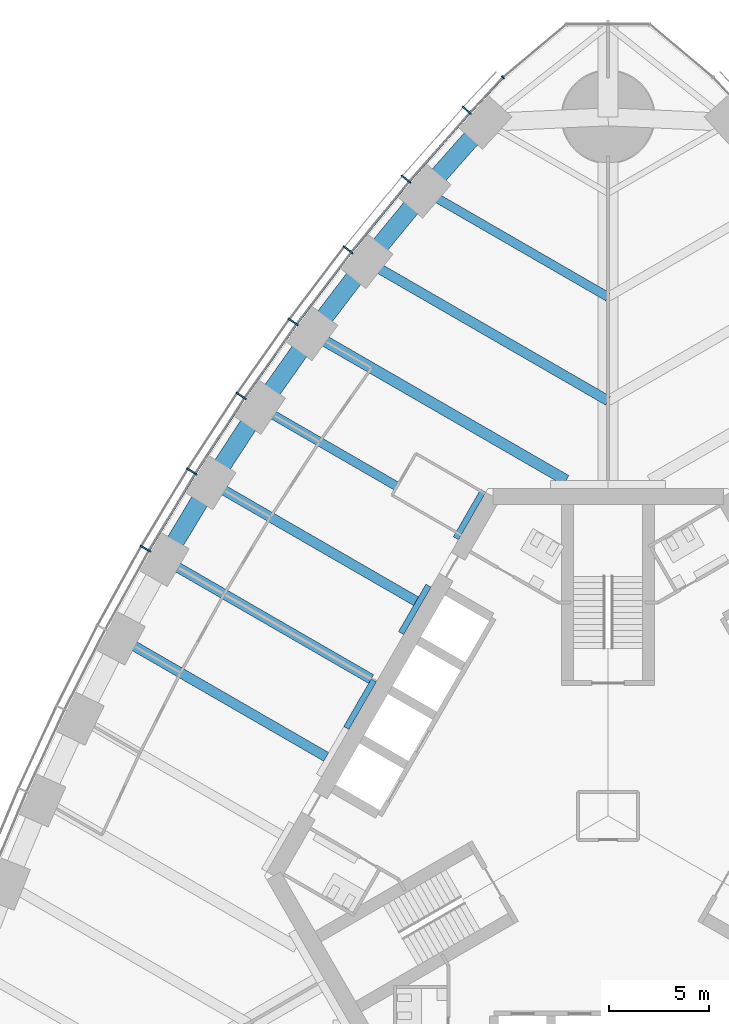
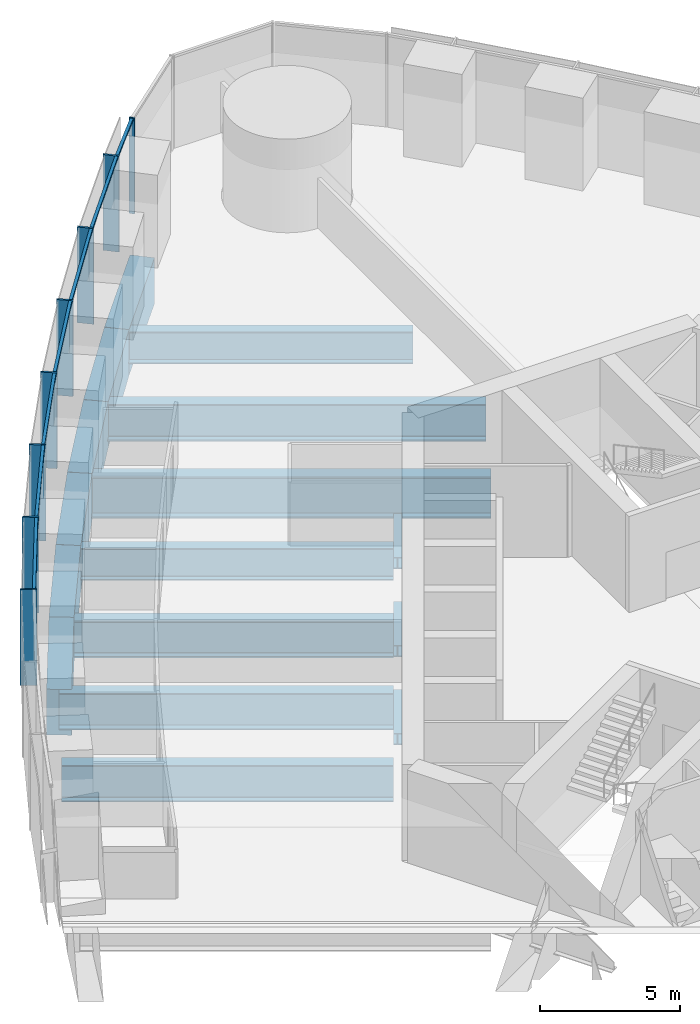
# One storey, part 4 of 19: 16 beams, 15 members, 2 elements without a shape of their own.
"""IFC4 building model written with IfcOpenShell, lengths in metres."""

from ifc_helpers import new_model, si_unit, direction, frame, origin, origin_2d, place, context, subcontext, project, spatial, rectangle, i_section, extrude, material, material_profile, profile_set, type_object, element, aggregate, save


model = new_model("IFC4")

# Units and contexts
model_context = context("Model", 3, precision=1e-05, world=origin(), true_north=direction((0.0, 1.0)))
body_context = subcontext(model_context, "Body", "Model", "MODEL_VIEW")
ifc_project = project(units=[si_unit("LENGTHUNIT", "METRE"), si_unit("AREAUNIT", "SQUARE_METRE"), si_unit("VOLUMEUNIT", "CUBIC_METRE"), si_unit("PLANEANGLEUNIT", "RADIAN"), si_unit("MASSUNIT", "GRAM", prefix="KILO")], contexts=[model_context])

# Site, building, storey
site_placement = place(None, origin())
site = spatial("IfcSite", under=ifc_project, at=site_placement, CompositionType="ELEMENT")
building_placement = place(site_placement, origin())
building = spatial("IfcBuilding", under=site, at=building_placement, Name="Trefoil Bronze Tower", CompositionType="ELEMENT")
storey_placement = place(building_placement, frame((0.0, 0.0, 107.300048828125)))
storey = spatial("IfcBuildingStorey", under=building, at=storey_placement, Name="L24", CompositionType="ELEMENT", Elevation=107.300048828125)

# Curtain wall, members
ifc_material_1 = material(Name="Tinted solar-control glass", Category="glass")
curtain_wall_type_1 = type_object("IfcCurtainWallType", Name="Bronze office curtain wall", PredefinedType="USERDEFINED", material=ifc_material_1)
curtain_wall_1_placement = place(storey_placement, origin())
curtain_wall_1 = element("IfcCurtainWall", 1, at=curtain_wall_1_placement, inside=storey, type_object=curtain_wall_type_1, Name="CW-A L24 F3", ObjectType="CURTAIN WALL", PredefinedType="USERDEFINED")
ifc_material_2 = material(Name="Bronze-finish aluminium", Category="aluminium")
ifc_material_profile_1 = material_profile(ifc_material_2, rectangle(XDim=0.60009765625, YDim=0.080078125, at=origin_2d()), Name="CW-A mullion")
ifc_profile_set_1 = profile_set([ifc_material_profile_1], Name="Bronze-finish aluminium")
member_type_1 = type_object("IfcMemberType", Name="Bronze office curtain wall mullion", PredefinedType="MULLION", material=ifc_profile_set_1)
member_1_placement = place(storey_placement, frame((-7.070068359375, 35.332275390625, 0.0), z_axis=(0.0, 0.0, 1.0), x_axis=(0.740360700327, -0.672209813534, 0.0)))
member_1 = element("IfcMember", 2, at=member_1_placement, type_object=member_type_1, Name="CW-A L24 F3 mullion 2", PredefinedType="MULLION", context=body_context, shape_type="SweptSolid", body=[
    extrude(rectangle(XDim=0.60009765625, YDim=0.080078125, at=origin_2d()), origin(), (0.0, 0.0, 1.0), 4.179931640625),
])
member_2_placement = place(storey_placement, frame((-10.11474609375, 31.8828125, 0.0), z_axis=(0.0, 0.0, 1.0), x_axis=(0.761721651066, -0.647904411389, 0.0)))
member_2 = element("IfcMember", 3, at=member_2_placement, type_object=member_type_1, Name="CW-A L24 F3 mullion 3", PredefinedType="MULLION", context=body_context, shape_type="SweptSolid", body=[
    extrude(rectangle(XDim=0.60009765625, YDim=0.080078125, at=origin_2d()), origin(), (0.0, 0.0, 1.0), 4.179931640625),
])
member_3_placement = place(storey_placement, frame((-13.01220703125, 28.34716796875, 0.0), z_axis=(0.0, 0.0, 1.0), x_axis=(0.78487913905, -0.619648882098, 0.0)))
member_3 = element("IfcMember", 4, at=member_3_placement, type_object=member_type_1, Name="CW-A L24 F3 mullion 4", PredefinedType="MULLION", context=body_context, shape_type="SweptSolid", body=[
    extrude(rectangle(XDim=0.60009765625, YDim=0.080078125, at=origin_2d()), origin(), (0.0, 0.0, 1.0), 4.179931640625),
])
member_4_placement = place(storey_placement, frame((-15.764404296875, 24.7275390625, 0.0), z_axis=(0.0, 0.0, 1.0), x_axis=(0.806874522901, -0.590722865897, 0.0)))
member_4 = element("IfcMember", 5, at=member_4_placement, type_object=member_type_1, Name="CW-A L24 F3 mullion 5", PredefinedType="MULLION", context=body_context, shape_type="SweptSolid", body=[
    extrude(rectangle(XDim=0.60009765625, YDim=0.080078125, at=origin_2d()), origin(), (0.0, 0.0, 1.0), 4.179931640625),
])
member_5_placement = place(storey_placement, frame((-18.373046875, 21.025146484375, 0.0), z_axis=(0.0, 0.0, 1.0), x_axis=(0.827723925749, -0.561135547566, 0.0)))
member_5 = element("IfcMember", 6, at=member_5_placement, type_object=member_type_1, Name="CW-A L24 F3 mullion 6", PredefinedType="MULLION", context=body_context, shape_type="SweptSolid", body=[
    extrude(rectangle(XDim=0.60009765625, YDim=0.080078125, at=origin_2d()), origin(), (0.0, 0.0, 1.0), 4.179931640625),
])
member_6_placement = place(storey_placement, frame((-20.840087890625, 17.24072265625, 0.0), z_axis=(0.0, 0.0, 1.0), x_axis=(0.84743864936, -0.530893337283, 0.0)))
member_6 = element("IfcMember", 7, at=member_6_placement, type_object=member_type_1, Name="CW-A L24 F3 mullion 7", PredefinedType="MULLION", context=body_context, shape_type="SweptSolid", body=[
    extrude(rectangle(XDim=0.60009765625, YDim=0.080078125, at=origin_2d()), origin(), (0.0, 0.0, 1.0), 4.179931640625),
])
member_7_placement = place(storey_placement, frame((-23.166015625, 13.374755859375, 0.0), z_axis=(0.0, 0.0, 1.0), x_axis=(0.866025403784, -0.5, 0.0)))
member_7 = element("IfcMember", 8, at=member_7_placement, type_object=member_type_1, Name="CW-A L24 F3 mullion 8", PredefinedType="MULLION", context=body_context, shape_type="SweptSolid", body=[
    extrude(rectangle(XDim=0.60009765625, YDim=0.080078125, at=origin_2d()), origin(), (0.0, 0.0, 1.0), 4.179931640625),
])
ifc_material_3 = material(Name="Bronze-finish aluminium", Category="aluminium")
ifc_material_profile_2 = material_profile(ifc_material_3, rectangle(XDim=0.1201171875, YDim=0.10009765625, at=origin_2d()), Name="CW-A transom")
ifc_profile_set_2 = profile_set([ifc_material_profile_2], Name="Bronze-finish aluminium")
member_type_2 = type_object("IfcMemberType", Name="Bronze office curtain wall transom", PredefinedType="USERDEFINED", material=ifc_profile_set_2)
member_8_placement = place(storey_placement, frame((-5.296630859375, 36.9384765625, 4.1298828125), z_axis=(-0.682489214428, -0.730895664366, 0.0), x_axis=(0.730895664366, -0.682489214428, 0.0)))
member_8 = element("IfcMember", 9, at=member_8_placement, type_object=member_type_2, Name="CW-A L24 F3 transom 1", ObjectType="TRANSOM", PredefinedType="USERDEFINED", context=body_context, shape_type="SweptSolid", body=[
    extrude(rectangle(XDim=0.1201171875, YDim=0.10009765625, at=origin_2d()), origin(), (0.0, 0.0, 1.0), 2.340087890625),
])
member_9_placement = place(storey_placement, frame((-6.949462890625, 35.166748046875, 4.1298828125), z_axis=(-0.66173618877, -0.749736764786, 0.0), x_axis=(0.749736764786, -0.66173618877, 0.0)))
member_9 = element("IfcMember", 10, at=member_9_placement, type_object=member_type_2, Name="CW-A L24 F3 transom 2", ObjectType="TRANSOM", PredefinedType="USERDEFINED", context=body_context, shape_type="SweptSolid", body=[
    extrude(rectangle(XDim=0.1201171875, YDim=0.10009765625, at=origin_2d()), origin(), (0.0, 0.0, 1.0), 4.510986328125),
])
member_10_placement = place(storey_placement, frame((-9.98876953125, 31.720947265625, 4.1298828125), z_axis=(-0.633848872297, -0.773456919995, 0.0), x_axis=(0.773456919995, -0.633848872297, 0.0)))
member_10 = element("IfcMember", 11, at=member_10_placement, type_object=member_type_2, Name="CW-A L24 F3 transom 3", ObjectType="TRANSOM", PredefinedType="USERDEFINED", context=body_context, shape_type="SweptSolid", body=[
    extrude(rectangle(XDim=0.1201171875, YDim=0.10009765625, at=origin_2d()), origin(), (0.0, 0.0, 1.0), 4.480224609375),
])
member_11_placement = place(storey_placement, frame((-12.880615234375, 28.18994140625, 4.1298828125), z_axis=(-0.605229114572, -0.796051329296, 0.0), x_axis=(0.796051329296, -0.605229114572, 0.0)))
member_11 = element("IfcMember", 12, at=member_11_placement, type_object=member_type_2, Name="CW-A L24 F3 transom 4", ObjectType="TRANSOM", PredefinedType="USERDEFINED", context=body_context, shape_type="SweptSolid", body=[
    extrude(rectangle(XDim=0.1201171875, YDim=0.10009765625, at=origin_2d()), origin(), (0.0, 0.0, 1.0), 4.456298828125),
])
member_12_placement = place(storey_placement, frame((-15.626953125, 24.5751953125, 4.1298828125), z_axis=(-0.576017858824, -0.817437108478, 0.0), x_axis=(0.817437108478, -0.576017858824, 0.0)))
member_12 = element("IfcMember", 13, at=member_12_placement, type_object=member_type_2, Name="CW-A L24 F3 transom 5", ObjectType="TRANSOM", PredefinedType="USERDEFINED", context=body_context, shape_type="SweptSolid", body=[
    extrude(rectangle(XDim=0.1201171875, YDim=0.10009765625, at=origin_2d()), origin(), (0.0, 0.0, 1.0), 4.4384765625),
])
member_13_placement = place(storey_placement, frame((-18.23046875, 20.877685546875, 4.1298828125), z_axis=(-0.546079336226, -0.837733465099, 0.0), x_axis=(0.837733465099, -0.546079336226, 0.0)))
member_13 = element("IfcMember", 14, at=member_13_placement, type_object=member_type_2, Name="CW-A L24 F3 transom 6", ObjectType="TRANSOM", PredefinedType="USERDEFINED", context=body_context, shape_type="SweptSolid", body=[
    extrude(rectangle(XDim=0.1201171875, YDim=0.10009765625, at=origin_2d()), origin(), (0.0, 0.0, 1.0), 4.426513671875),
])
member_14_placement = place(storey_placement, frame((-20.692138671875, 17.0986328125, 4.1298828125), z_axis=(-0.515526794174, -0.856873458854, 0.0), x_axis=(0.856873458854, -0.515526794174, 0.0)))
member_14 = element("IfcMember", 15, at=member_14_placement, type_object=member_type_2, Name="CW-A L24 F3 transom 7", ObjectType="TRANSOM", PredefinedType="USERDEFINED", context=body_context, shape_type="SweptSolid", body=[
    extrude(rectangle(XDim=0.1201171875, YDim=0.10009765625, at=origin_2d()), origin(), (0.0, 0.0, 1.0), 4.4208984375),
])
aggregate(curtain_wall_1, [member_1, member_2, member_3, member_4, member_5, member_6, member_7, member_8, member_9, member_10, member_11, member_12, member_13, member_14])

# Curtain wall, member
ifc_material_4 = material(Name="Tinted solar-control glass", Category="glass")
curtain_wall_type_2 = type_object("IfcCurtainWallType", Name="Bronze rounded corner curtain wall", PredefinedType="USERDEFINED", material=ifc_material_4)
curtain_wall_2_placement = place(storey_placement, origin())
curtain_wall_2 = element("IfcCurtainWall", 16, at=curtain_wall_2_placement, inside=storey, type_object=curtain_wall_type_2, Name="CW-B L24 K2", ObjectType="CURTAIN WALL", PredefinedType="USERDEFINED")
ifc_material_5 = material(Name="Bronze-finish aluminium", Category="aluminium")
ifc_material_profile_3 = material_profile(ifc_material_5, rectangle(XDim=0.199951171875, YDim=0.06005859375, at=origin_2d()), Name="CW-B mullion")
ifc_profile_set_3 = profile_set([ifc_material_profile_3], Name="Bronze-finish aluminium")
member_type_3 = type_object("IfcMemberType", Name="Bronze rounded corner curtain wall mullion", PredefinedType="MULLION", material=ifc_profile_set_3)
member_15_placement = place(storey_placement, frame((-5.260498046875, 36.975830078125, 0.0), z_axis=(0.0, 0.0, 1.0), x_axis=(0.642787609687, -0.766044443119, 0.0)))
member_15 = element("IfcMember", 17, at=member_15_placement, type_object=member_type_3, Name="CW-B L24 K2 mullion 4", PredefinedType="MULLION", context=body_context, shape_type="SweptSolid", body=[
    extrude(rectangle(XDim=0.199951171875, YDim=0.06005859375, at=origin_2d()), origin(), (0.0, 0.0, 1.0), 4.179931640625),
])
aggregate(curtain_wall_2, [member_15])

# Beams
ifc_material_6 = material(Name="Steel C355", Category="steel")
ifc_material_profile_4 = material_profile(ifc_material_6, i_section(OverallWidth=0.300048828125, OverallDepth=0.5, WebThickness=0.014404296875, FlangeThickness=0.028076171875, FilletRadius=0.027099609375, at=origin_2d()), Name="HEB 500")
ifc_profile_set_4 = profile_set([ifc_material_profile_4], Name="Steel C355")
beam_type_1 = type_object("IfcBeamType", Name="Core seat beam HEB 500", PredefinedType="BEAM", material=ifc_profile_set_4)
for number, where, z_axis, x_axis, name in (
    (18, (-6.249755859375, 16.27490234375, -0.449951171875), (-0.500035825175, -0.866004719122, 0.0), (0.866004719122, -0.500035825175, 0.0), "Core seat beam F3/-2 L24"),
    (19, (-8.9921875, 11.52490234375, -0.449951171875), (-0.500035825175, -0.866004719122, 0.0), (0.866004719122, -0.500035825175, 0.0), "Core seat beam F3/-1 L24"),
    (20, (-11.734619140625, 6.77490234375, -0.449951171875), (-0.500035825175, -0.866004719122, 0.0), (0.866004719122, -0.500035825175, 0.0), "Core seat beam F3/+0 L24"),
):
    element("IfcBeam", number, at=place(storey_placement, frame(where, z_axis=z_axis, x_axis=x_axis)), inside=storey, type_object=beam_type_1, Name=name, PredefinedType="BEAM", context=body_context, shape_type="SweptSolid", body=[
        extrude(i_section(OverallWidth=0.300048828125, OverallDepth=0.5, WebThickness=0.014404296875, FlangeThickness=0.028076171875, FilletRadius=0.027099609375, at=origin_2d()), origin(), (0.0, 0.0, 1.0), 2.742431640625),
    ])
ifc_material_7 = material(Name="Steel C355", Category="steel")
ifc_material_profile_5 = material_profile(ifc_material_7, i_section(OverallWidth=0.449951171875, OverallDepth=1.39990234375, WebThickness=0.02294921875, FlangeThickness=0.044921875, FilletRadius=0.011962890625, at=origin_2d()), Name="WPG 1400")
ifc_profile_set_5 = profile_set([ifc_material_profile_5], Name="Steel C355")
beam_type_2 = type_object("IfcBeamType", Name="Floor beam WPG 1400", PredefinedType="BEAM", material=ifc_profile_set_5)
beam_1_placement = place(storey_placement, frame((-9.181884765625, 31.281982421875, -0.900146484375), z_axis=(0.866021079084, -0.500007490527, 0.0), x_axis=(0.500007490527, 0.866021079084, 0.0)))
element("IfcBeam", 21, at=beam_1_placement, inside=storey, type_object=beam_type_2, Name="Floor beam F3/-5 L24", PredefinedType="BEAM", context=body_context, shape_type="SweptSolid", body=[
    extrude(i_section(OverallWidth=0.449951171875, OverallDepth=1.39990234375, WebThickness=0.02294921875, FlangeThickness=0.044921875, FilletRadius=0.011962890625, at=origin_2d()), origin(), (0.0, 0.0, 1.0), 10.602294921875),
])
beam_2_placement = place(storey_placement, frame((-17.43017578125, 20.45556640625, -0.900146484375), z_axis=(0.866030626868, -0.499990953245, 0.0), x_axis=(0.499990953245, 0.866030626868, 0.0)))
element("IfcBeam", 22, at=beam_2_placement, inside=storey, type_object=beam_type_2, Name="Floor beam F3/-2 L24", PredefinedType="BEAM", context=body_context, shape_type="SweptSolid", body=[
    extrude(i_section(OverallWidth=0.449951171875, OverallDepth=1.39990234375, WebThickness=0.02294921875, FlangeThickness=0.044921875, FilletRadius=0.011962890625, at=origin_2d()), origin(), (0.0, 0.0, 1.0), 11.622802734375),
])
ifc_material_8 = material(Name="Steel C355", Category="steel")
ifc_material_profile_6 = material_profile(ifc_material_8, i_section(OverallWidth=0.5, OverallDepth=1.60009765625, WebThickness=0.02587890625, FlangeThickness=0.050048828125, FilletRadius=0.011962890625, at=origin_2d()), Name="WPG 1600")
ifc_profile_set_6 = profile_set([ifc_material_profile_6], Name="Steel C355")
beam_type_3 = type_object("IfcBeamType", Name="Floor beam WPG 1600", PredefinedType="BEAM", material=ifc_profile_set_6)
beam_3_placement = place(storey_placement, frame((-12.07666015625, 27.757080078125, -1.0), z_axis=(0.866026983775, -0.499997263366, 0.0), x_axis=(0.499997263366, 0.866026983775, 0.0)))
element("IfcBeam", 23, at=beam_3_placement, inside=storey, type_object=beam_type_3, Name="Floor beam F3/-4 L24", PredefinedType="BEAM", context=body_context, shape_type="SweptSolid", body=[
    extrude(i_section(OverallWidth=0.5, OverallDepth=1.60009765625, WebThickness=0.02587890625, FlangeThickness=0.050048828125, FilletRadius=0.011962890625, at=origin_2d()), origin(), (0.0, 0.0, 1.0), 13.94482421875),
])
beam_4_placement = place(storey_placement, frame((-19.892578125, 16.68115234375, -1.0), z_axis=(0.866024236736, -0.500002021381, 0.0), x_axis=(0.500002021381, 0.866024236736, 0.0)))
element("IfcBeam", 24, at=beam_4_placement, inside=storey, type_object=beam_type_3, Name="Floor beam F3/-1 L24", PredefinedType="BEAM", context=body_context, shape_type="SweptSolid", body=[
    extrude(i_section(OverallWidth=0.5, OverallDepth=1.60009765625, WebThickness=0.02587890625, FlangeThickness=0.050048828125, FilletRadius=0.011962890625, at=origin_2d()), origin(), (0.0, 0.0, 1.0), 11.8681640625),
])
beam_5_placement = place(storey_placement, frame((-22.21337890625, 12.824951171875, -1.0), z_axis=(0.866028062731, -0.499995394541, 0.0), x_axis=(0.499995394541, 0.866028062731, 0.0)))
element("IfcBeam", 25, at=beam_5_placement, inside=storey, type_object=beam_type_3, Name="Floor beam F3/+0 L24", PredefinedType="BEAM", context=body_context, shape_type="SweptSolid", body=[
    extrude(i_section(OverallWidth=0.5, OverallDepth=1.60009765625, WebThickness=0.02587890625, FlangeThickness=0.050048828125, FilletRadius=0.011962890625, at=origin_2d()), origin(), (0.0, 0.0, 1.0), 11.94970703125),
])
beam_6_placement = place(storey_placement, frame((-24.392578125, 8.886962890625, -1.0), z_axis=(0.866024236736, -0.500002021381, 0.0), x_axis=(0.500002021381, 0.866024236736, 0.0)))
element("IfcBeam", 26, at=beam_6_placement, inside=storey, type_object=beam_type_3, Name="Floor beam F3/+1 L24", PredefinedType="BEAM", context=body_context, shape_type="SweptSolid", body=[
    extrude(i_section(OverallWidth=0.5, OverallDepth=1.60009765625, WebThickness=0.02587890625, FlangeThickness=0.050048828125, FilletRadius=0.011962890625, at=origin_2d()), origin(), (0.0, 0.0, 1.0), 11.8681640625),
])
ifc_material_9 = material(Name="Steel C355", Category="steel")
ifc_material_profile_7 = material_profile(ifc_material_9, i_section(OverallWidth=0.550048828125, OverallDepth=1.800048828125, WebThickness=0.029052734375, FlangeThickness=0.054931640625, FilletRadius=0.013916015625, at=origin_2d()), Name="WPG 1800")
ifc_profile_set_7 = profile_set([ifc_material_profile_7], Name="Steel C355")
beam_type_4 = type_object("IfcBeamType", Name="Floor beam WPG 1800", PredefinedType="BEAM", material=ifc_profile_set_7)
beam_7_placement = place(storey_placement, frame((-14.825439453125, 24.14794921875, -1.10009765625), z_axis=(0.866027342682, -0.499996641717, 0.0), x_axis=(0.499996641717, 0.866027342682, 0.0)))
element("IfcBeam", 27, at=beam_7_placement, inside=storey, type_object=beam_type_4, Name="Floor beam F3/-3 L24", PredefinedType="BEAM", context=body_context, shape_type="SweptSolid", body=[
    extrude(i_section(OverallWidth=0.550048828125, OverallDepth=1.800048828125, WebThickness=0.029052734375, FlangeThickness=0.054931640625, FilletRadius=0.013916015625, at=origin_2d()), origin(), (0.0, 0.0, 1.0), 14.69580078125),
])
ifc_material_10 = material(Name="Concrete B80", Category="concrete")
ifc_material_profile_8 = material_profile(ifc_material_10, rectangle(XDim=0.89990234375, YDim=2.0, at=origin_2d()), Name="RC 900x2000")
ifc_profile_set_8 = profile_set([ifc_material_profile_8], Name="Concrete B80")
beam_type_5 = type_object("IfcBeamType", Name="Spandrel beam RC 900x2000", PredefinedType="SPANDREL", material=ifc_profile_set_8)
beam_8_placement = place(storey_placement, frame((-6.13916015625, 34.72119140625, -1.199951171875), z_axis=(-0.662616326239, -0.748959013699, 0.0), x_axis=(0.748959013699, -0.662616326239, 0.0)))
element("IfcBeam", 28, at=beam_8_placement, inside=storey, type_object=beam_type_5, Name="Spandrel F3.2 L24", PredefinedType="SPANDREL", context=body_context, shape_type="SweptSolid", body=[
    extrude(rectangle(XDim=0.89990234375, YDim=2.0, at=origin_2d()), origin(), (0.0, 0.0, 1.0), 4.592041015625),
])
beam_9_placement = place(storey_placement, frame((-9.181884765625, 31.281982421875, -1.199951171875), z_axis=(-0.634650386838, -0.772799383079, 0.0), x_axis=(0.772799383079, -0.634650386838, 0.0)))
element("IfcBeam", 29, at=beam_9_placement, inside=storey, type_object=beam_type_5, Name="Spandrel F3.3 L24", PredefinedType="SPANDREL", context=body_context, shape_type="SweptSolid", body=[
    extrude(rectangle(XDim=0.89990234375, YDim=2.0, at=origin_2d()), origin(), (0.0, 0.0, 1.0), 4.561279296875),
])
beam_10_placement = place(storey_placement, frame((-12.07666015625, 27.757080078125, -1.199951171875), z_axis=(-0.605898901788, -0.795541652468, 0.0), x_axis=(0.795541652468, -0.605898901788, 0.0)))
element("IfcBeam", 30, at=beam_10_placement, inside=storey, type_object=beam_type_5, Name="Spandrel F3.4 L24", PredefinedType="SPANDREL", context=body_context, shape_type="SweptSolid", body=[
    extrude(rectangle(XDim=0.89990234375, YDim=2.0, at=origin_2d()), origin(), (0.0, 0.0, 1.0), 4.53662109375),
])
beam_11_placement = place(storey_placement, frame((-14.825439453125, 24.14794921875, -1.199951171875), z_axis=(-0.576439228712, -0.81714002203, 0.0), x_axis=(0.81714002203, -0.576439228712, 0.0)))
element("IfcBeam", 31, at=beam_11_placement, inside=storey, type_object=beam_type_5, Name="Spandrel F3.5 L24", PredefinedType="SPANDREL", context=body_context, shape_type="SweptSolid", body=[
    extrude(rectangle(XDim=0.89990234375, YDim=2.0, at=origin_2d()), origin(), (0.0, 0.0, 1.0), 4.5185546875),
])
beam_12_placement = place(storey_placement, frame((-17.43017578125, 20.45556640625, -1.199951171875), z_axis=(-0.546396670296, -0.83752652417, 0.0), x_axis=(0.83752652417, -0.546396670296, 0.0)))
element("IfcBeam", 32, at=beam_12_placement, inside=storey, type_object=beam_type_5, Name="Spandrel F3.6 L24", PredefinedType="SPANDREL", context=body_context, shape_type="SweptSolid", body=[
    extrude(rectangle(XDim=0.89990234375, YDim=2.0, at=origin_2d()), origin(), (0.0, 0.0, 1.0), 4.506591796875),
])
beam_13_placement = place(storey_placement, frame((-19.892578125, 16.68115234375, -1.199951171875), z_axis=(-0.515651979972, -0.856798129988, 0.0), x_axis=(0.856798129988, -0.515651979972, 0.0)))
element("IfcBeam", 33, at=beam_13_placement, inside=storey, type_object=beam_type_5, Name="Spandrel F3.7 L24", PredefinedType="SPANDREL", context=body_context, shape_type="SweptSolid", body=[
    extrude(rectangle(XDim=0.89990234375, YDim=2.0, at=origin_2d()), origin(), (0.0, 0.0, 1.0), 4.500732421875),
])

save(model, "model.ifc")
